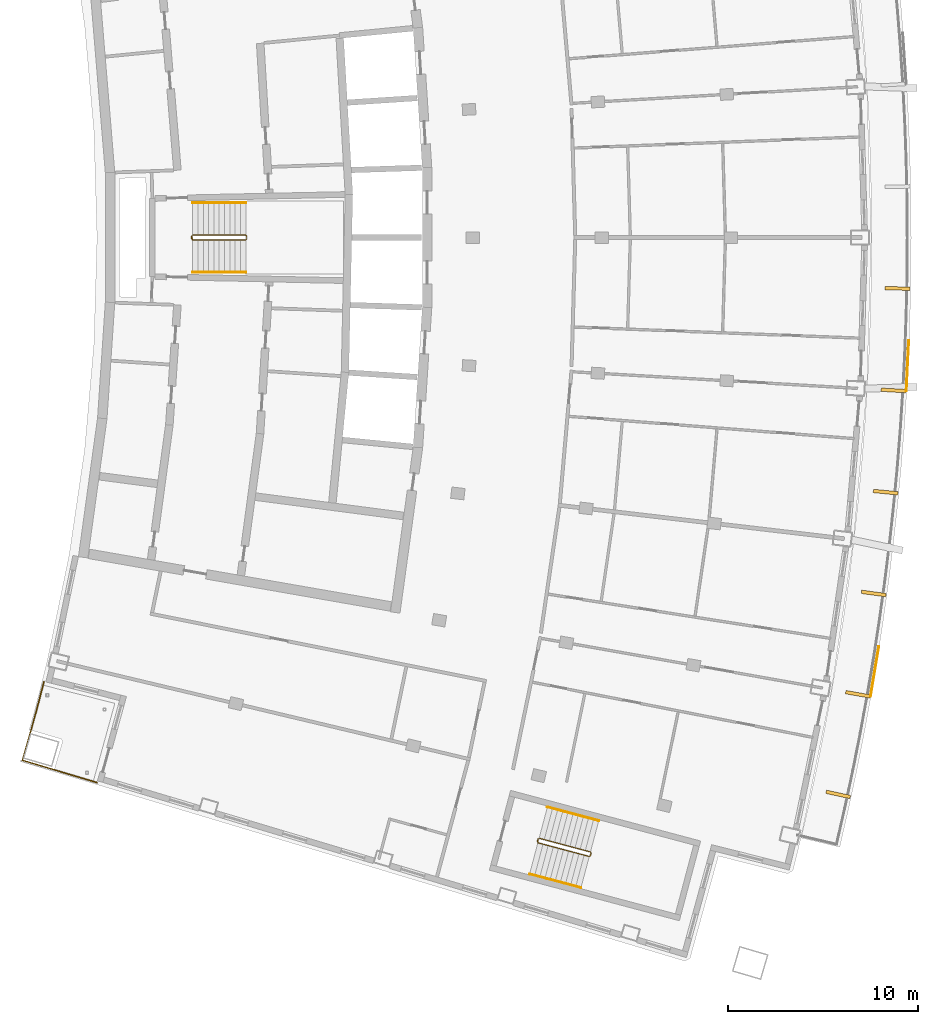
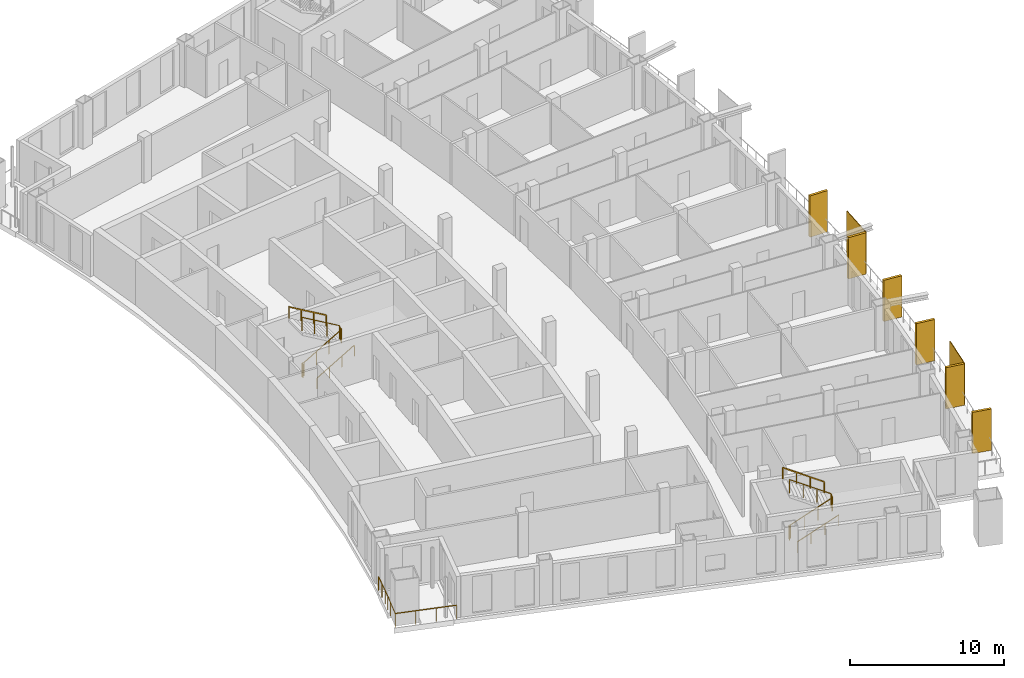
# One storey, part 15 of 17: 8 shading devices, 7 railings.
"""IFC4 building model written with IfcOpenShell, lengths in metres."""

from ifc_helpers import new_model, si_unit, direction, frame, origin, origin_with_axes, origin_2d, place, context, subcontext, project, spatial, rectangle, extrude, material, layer, layer_set, type_object, element, save


model = new_model("IFC4")

# Units and contexts
model_context = context("Model", 3, precision=1e-05, world=origin(), true_north=direction((0.0, 1.0)))
body_context = subcontext(model_context, "Body", "Model", "MODEL_VIEW")
ifc_project = project(units=[si_unit("LENGTHUNIT", "METRE"), si_unit("AREAUNIT", "SQUARE_METRE"), si_unit("VOLUMEUNIT", "CUBIC_METRE"), si_unit("PLANEANGLEUNIT", "RADIAN"), si_unit("MASSUNIT", "GRAM", prefix="KILO")], contexts=[model_context])

# Site, building, storey
site_placement = place(None, origin())
site = spatial("IfcSite", under=ifc_project, at=site_placement, CompositionType="ELEMENT")
building_placement = place(site_placement, origin())
building = spatial("IfcBuilding", under=site, at=building_placement, Name="Alderwake Tower", CompositionType="ELEMENT")
storey_placement = place(building_placement, frame((0.0, 0.0, 270.800048828125)))
storey = spatial("IfcBuildingStorey", under=building, at=storey_placement, Name="L67", CompositionType="ELEMENT", Elevation=270.800048828125)

# Railing
ifc_material_1 = material(Name="Stainless steel 316 rail and posts", Category="steel")
railing_type_1 = type_object("IfcRailingType", Name="Balcony guard 1100", PredefinedType="GUARDRAIL", material=ifc_material_1)
railing_1_placement = place(storey_placement, frame((13.210693359375, 37.612548828125, 0.0)))
element("IfcRailing", 1, at=railing_1_placement, inside=storey, type_object=railing_type_1, Name="Guard terrace RS", PredefinedType="GUARDRAIL", context=body_context, shape_type="SweptSolid", body=[
    extrude(rectangle(XDim=0.048095703125, YDim=0.048095703125, at=origin_2d()), frame((0.0, 0.0, 1.076171875), z_axis=(-0.251385381433, -0.967887075026, 0.0), x_axis=(0.967887075026, -0.251385381433, 0.0)), (0.0, 0.0, 1.0), 1.6015625),
    extrude(rectangle(XDim=0.048095703125, YDim=0.048095703125, at=origin_2d()), frame((-0.402587890625, -1.550048828125, 1.076171875), z_axis=(-0.266520638672, -0.963829211615, 0.0), x_axis=(0.963829211615, -0.266520638672, 0.0)), (0.0, 0.0, 1.0), 1.401611328125),
    extrude(rectangle(XDim=0.048095703125, YDim=0.048095703125, at=origin_2d()), frame((-0.776123046875, -2.90087890625, 1.076171875), z_axis=(-0.280093650878, -0.959972680204, 0.0), x_axis=(0.959972680204, -0.280093650878, 0.0)), (0.0, 0.0, 1.0), 1.30126953125),
    extrude(rectangle(XDim=0.048095703125, YDim=0.048095703125, at=origin_2d()), frame((-1.140625, -4.150146484375, 1.076171875), z_axis=(0.958066871889, -0.286544706789, 0.0), x_axis=(0.286544706789, 0.958066871889, 0.0)), (0.0, 0.0, 1.0), 4.099853515625),
    extrude(rectangle(XDim=0.0419921875, YDim=0.0419921875, at=origin_2d()), frame((0.0, 0.0, 0.0), z_axis=(0.0, 0.0, 1.0), x_axis=(-0.251385381433, -0.967887075026, 0.0)), (0.0, 0.0, 1.0), 1.052001953125),
    extrude(rectangle(XDim=0.0419921875, YDim=0.0419921875, at=origin_2d()), frame((-0.201171875, -0.77490234375, 0.0), z_axis=(0.0, 0.0, 1.0), x_axis=(-0.251385381433, -0.967887075026, 0.0)), (0.0, 0.0, 1.0), 1.052001953125),
    extrude(rectangle(XDim=0.0419921875, YDim=0.0419921875, at=origin_2d()), frame((-0.402587890625, -1.550048828125, 0.0), z_axis=(0.0, 0.0, 1.0), x_axis=(-0.266520638672, -0.963829211615, 0.0)), (0.0, 0.0, 1.0), 1.052001953125),
    extrude(rectangle(XDim=0.0419921875, YDim=0.0419921875, at=origin_2d()), frame((-0.58935546875, -2.2255859375, 0.0), z_axis=(0.0, 0.0, 1.0), x_axis=(-0.266520638672, -0.963829211615, 0.0)), (0.0, 0.0, 1.0), 1.052001953125),
    extrude(rectangle(XDim=0.0419921875, YDim=0.0419921875, at=origin_2d()), frame((-0.776123046875, -2.90087890625, 0.0), z_axis=(0.0, 0.0, 1.0), x_axis=(-0.280093650878, -0.959972680204, 0.0)), (0.0, 0.0, 1.0), 1.052001953125),
    extrude(rectangle(XDim=0.0419921875, YDim=0.0419921875, at=origin_2d()), frame((-1.140625, -4.150146484375, 0.0), z_axis=(0.0, 0.0, 1.0), x_axis=(0.958066871889, -0.286544706789, 0.0)), (0.0, 0.0, 1.0), 1.052001953125),
    extrude(rectangle(XDim=0.0419921875, YDim=0.0419921875, at=origin_2d()), frame((0.168701171875, -4.541748046875, 0.0), z_axis=(0.0, 0.0, 1.0), x_axis=(0.958066871889, -0.286544706789, 0.0)), (0.0, 0.0, 1.0), 1.052001953125),
    extrude(rectangle(XDim=0.0419921875, YDim=0.0419921875, at=origin_2d()), frame((1.47802734375, -4.933349609375, 0.0), z_axis=(0.0, 0.0, 1.0), x_axis=(0.958066871889, -0.286544706789, 0.0)), (0.0, 0.0, 1.0), 1.052001953125),
    extrude(rectangle(XDim=0.0419921875, YDim=0.0419921875, at=origin_2d()), frame((2.787353515625, -5.324951171875, 0.0), z_axis=(0.0, 0.0, 1.0), x_axis=(0.958066871889, -0.286544706789, 0.0)), (0.0, 0.0, 1.0), 1.052001953125),
])

# Shading devices
ifc_material_2 = material(Name="Bronze anodised aluminium", Category="aluminium")
ifc_layer_1 = layer(ifc_material_2, 0.179931640625)
ifc_layer_set_1 = layer_set([ifc_layer_1], Name="Facade fin 1300")
shading_device_type_1 = type_object("IfcShadingDeviceType", Name="Facade fin 1300", PredefinedType="USERDEFINED", material=ifc_layer_set_1)
for number, where, z_axis, x_axis, name in (
    (2, (55.050537109375, 31.663818359375, 0.0), (0.0, 0.0, 1.0), (0.977210363881, -0.212273184185, 0.0), "Fin"),
    (3, (56.089111328125, 36.938232421875, 0.0), (0.0, 0.0, 1.0), (0.984726421654, -0.174108800747, 0.0), "Fin"),
    (4, (56.922119140625, 42.2490234375, 0.0), (0.0, 0.0, 1.0), (0.990752577235, -0.135680988728, 0.0), "Fin"),
    (5, (57.547607421875, 47.588134765625, 0.0), (0.0, 0.0, 1.0), (0.995279882363, -0.097046152751, 0.0), "Fin"),
    (6, (57.965087890625, 52.947509765625, 0.0), (0.0, 0.0, 1.0), (0.998301080988, -0.058266214038, 0.0), "Fin"),
    (7, (58.174072265625, 58.319091796875, 0.0), (0.0, 0.0, 1.0), (0.999811838809, -0.019398117887, 0.0), "Fin"),
):
    element("IfcShadingDevice", number, at=place(storey_placement, frame(where, z_axis=z_axis, x_axis=x_axis)), inside=storey, type_object=shading_device_type_1, Name=name, ObjectType="FIN", PredefinedType="USERDEFINED", context=body_context, shape_type="SweptSolid", body=[
        extrude(rectangle(XDim=1.300048828125, YDim=0.179931640625, at=origin_2d()), origin(), (0.0, 0.0, 1.0), 3.280029296875),
    ])
ifc_material_3 = material(Name="Perforated bronze anodised aluminium", Category="aluminium")
ifc_layer_2 = layer(ifc_material_3, 0.050048828125)
ifc_layer_set_2 = layer_set([ifc_layer_2], Name="Perforated screen panel")
shading_device_type_2 = type_object("IfcShadingDeviceType", Name="Perforated screen panel", PredefinedType="USERDEFINED", material=ifc_layer_set_2)
for number, where, z_axis, x_axis, name in (
    (8, (56.9755859375, 38.1494140625, 0.0), (0.0, 0.0, 1.0), (0.986369013299, -0.164548380739, 0.0), "Screen panel"),
    (9, (58.70458984375, 54.253662109375, 0.0), (0.0, 0.0, 1.0), (0.998819231138, -0.048581308217, 0.0), "Screen panel"),
):
    element("IfcShadingDevice", number, at=place(storey_placement, frame(where, z_axis=z_axis, x_axis=x_axis)), inside=storey, type_object=shading_device_type_2, Name=name, ObjectType="SCREEN", PredefinedType="USERDEFINED", context=body_context, shape_type="SweptSolid", body=[
        extrude(rectangle(XDim=0.050048828125, YDim=2.694091796875, at=origin_2d()), origin(), (0.0, 0.0, 1.0), 3.280029296875),
    ])

# Railings
ifc_material_4 = material(Name="Stainless steel guard", Category="steel")
railing_type_2 = type_object("IfcRailingType", Name="Stair guard 1100", PredefinedType="GUARDRAIL", material=ifc_material_4)
railing_2_placement = place(storey_placement, frame((20.989990234375, 60.925048828125, 0.0)))
element("IfcRailing", 10, at=railing_2_placement, inside=storey, type_object=railing_type_2, Name="L67 ST-B stair guard 1", PredefinedType="GUARDRAIL", context=body_context, shape_type="SweptSolid", body=[
    extrude(rectangle(XDim=0.048095703125, YDim=0.048095703125, at=origin_2d()), frame((0.0, 0.0, 1.076171875), z_axis=(0.0, 1.0, 0.0), x_axis=(-1.0, 0.0, 0.0)), (0.0, 0.0, 1.0), 0.14990234375),
    extrude(rectangle(XDim=0.048095703125, YDim=0.048095703125, at=origin_2d()), frame((0.0, 0.14990234375, 1.076171875), z_axis=(0.190199549216, -0.759870394187, 0.621627795), x_axis=(0.970072785993, 0.242814311512, 0.0)), (0.0, 0.0, 1.0), 0.26318359375),
    extrude(rectangle(XDim=0.048095703125, YDim=0.048095703125, at=origin_2d()), frame((0.050048828125, -0.050048828125, 1.23974609375), z_axis=(0.863360870873, 0.0, 0.504586966384), x_axis=(0.0, 1.0, 0.0)), (0.0, 0.0, 1.0), 3.2431640625),
    extrude(rectangle(XDim=0.048095703125, YDim=0.048095703125, at=origin_2d()), frame((2.85009765625, -0.050048828125, 2.8759765625), z_axis=(0.705375805398, 0.708833529934, 0.0), x_axis=(-0.708833529934, 0.705375805398, 0.0)), (0.0, 0.0, 1.0), 0.070556640625),
    extrude(rectangle(XDim=0.048095703125, YDim=0.048095703125, at=origin_2d()), frame((2.89990234375, 0.0, 2.8759765625), z_axis=(0.0, 1.0, 0.0), x_axis=(-1.0, 0.0, 0.0)), (0.0, 0.0, 1.0), 0.14990234375),
    extrude(rectangle(XDim=0.048095703125, YDim=0.048095703125, at=origin_2d()), frame((2.89990234375, 0.14990234375, 2.8759765625), z_axis=(-0.279546231943, 0.280916556609, 0.91811752648), x_axis=(-0.708833529934, -0.705375805398, 0.0)), (0.0, 0.0, 1.0), 0.17822265625),
    extrude(rectangle(XDim=0.048095703125, YDim=0.048095703125, at=origin_2d()), frame((2.85009765625, 0.199951171875, 3.03955078125), z_axis=(-0.863393664356, 0.0, 0.504530851732), x_axis=(0.0, -1.0, 0.0)), (0.0, 0.0, 1.0), 3.2431640625),
    extrude(rectangle(XDim=0.0419921875, YDim=0.0419921875, at=origin_2d()), frame((0.0, 0.0, 0.0), z_axis=(0.0, 0.0, 1.0), x_axis=(0.0, 1.0, 0.0)), (0.0, 0.0, 1.0), 1.052001953125),
    extrude(rectangle(XDim=0.0419921875, YDim=0.0419921875, at=origin_2d()), frame((0.0, 0.14990234375, 0.0), z_axis=(0.0, 0.0, 1.0), x_axis=(0.242814311512, -0.970072785993, 0.0)), (0.0, 0.0, 1.0), 1.052001953125),
    extrude(rectangle(XDim=0.0419921875, YDim=0.0419921875, at=origin_2d()), frame((0.050048828125, -0.050048828125, 0.16357421875), z_axis=(0.0, 0.0, 1.0), x_axis=(1.0, 0.0, 0.0)), (0.0, 0.0, 1.0), 1.052001953125),
    extrude(rectangle(XDim=0.0419921875, YDim=0.0419921875, at=origin_2d()), frame((0.9833984375, -0.050048828125, 0.708984375), z_axis=(0.0, 0.0, 1.0), x_axis=(1.0, 0.0, 0.0)), (0.0, 0.0, 1.0), 1.052001953125),
    extrude(rectangle(XDim=0.0419921875, YDim=0.0419921875, at=origin_2d()), frame((1.916748046875, -0.050048828125, 1.254638671875), z_axis=(0.0, 0.0, 1.0), x_axis=(1.0, 0.0, 0.0)), (0.0, 0.0, 1.0), 1.052001953125),
    extrude(rectangle(XDim=0.0419921875, YDim=0.0419921875, at=origin_2d()), frame((2.85009765625, -0.050048828125, 1.800048828125), z_axis=(0.0, 0.0, 1.0), x_axis=(0.705375805398, 0.708833529934, 0.0)), (0.0, 0.0, 1.0), 1.052001953125),
    extrude(rectangle(XDim=0.0419921875, YDim=0.0419921875, at=origin_2d()), frame((2.89990234375, 0.0, 1.800048828125), z_axis=(0.0, 0.0, 1.0), x_axis=(0.0, 1.0, 0.0)), (0.0, 0.0, 1.0), 1.052001953125),
    extrude(rectangle(XDim=0.0419921875, YDim=0.0419921875, at=origin_2d()), frame((2.89990234375, 0.14990234375, 1.800048828125), z_axis=(0.0, 0.0, 1.0), x_axis=(-0.705375805398, 0.708833529934, 0.0)), (0.0, 0.0, 1.0), 1.052001953125),
    extrude(rectangle(XDim=0.0419921875, YDim=0.0419921875, at=origin_2d()), frame((2.85009765625, 0.199951171875, 1.963623046875), z_axis=(0.0, 0.0, 1.0), x_axis=(-1.0, 0.0, 0.0)), (0.0, 0.0, 1.0), 1.052001953125),
    extrude(rectangle(XDim=0.0419921875, YDim=0.0419921875, at=origin_2d()), frame((1.916748046875, 0.199951171875, 2.509033203125), z_axis=(0.0, 0.0, 1.0), x_axis=(-1.0, 0.0, 0.0)), (0.0, 0.0, 1.0), 1.052001953125),
    extrude(rectangle(XDim=0.0419921875, YDim=0.0419921875, at=origin_2d()), frame((0.9833984375, 0.199951171875, 3.054443359375), z_axis=(0.0, 0.0, 1.0), x_axis=(-1.0, 0.0, 0.0)), (0.0, 0.0, 1.0), 1.052001953125),
    extrude(rectangle(XDim=0.0419921875, YDim=0.0419921875, at=origin_2d()), frame((0.050048828125, 0.199951171875, 3.599853515625), z_axis=(0.0, 0.0, 1.0), x_axis=(-1.0, 0.0, 0.0)), (0.0, 0.0, 1.0), 1.052001953125),
])
railing_3_placement = place(storey_placement, frame((39.1943359375, 29.17431640625, 0.0)))
element("IfcRailing", 11, at=railing_3_placement, inside=storey, type_object=railing_type_2, Name="L67 ST-C stair guard 1", PredefinedType="GUARDRAIL", context=body_context, shape_type="SweptSolid", body=[
    extrude(rectangle(XDim=0.048095703125, YDim=0.048095703125, at=origin_2d()), frame((0.0, 0.0, 1.076171875), z_axis=(0.257459803502, 0.966289009345, 0.0), x_axis=(-0.966289009345, 0.257459803502, 0.0)), (0.0, 0.0, 1.0), 0.14990234375),
    extrude(rectangle(XDim=0.048095703125, YDim=0.048095703125, at=origin_2d()), frame((0.03857421875, 0.144775390625, 1.076171875), z_axis=(-0.012062893862, -0.783160186125, 0.621702991355), x_axis=(0.999881397308, -0.015401016783, 0.0)), (0.0, 0.0, 1.0), 0.26318359375),
    extrude(rectangle(XDim=0.048095703125, YDim=0.048095703125, at=origin_2d()), frame((0.035400390625, -0.061279296875, 1.23974609375), z_axis=(0.834281824786, -0.222214197128, 0.504573768072), x_axis=(0.257380452725, 0.966310148221, 0.0)), (0.0, 0.0, 1.0), 3.2431640625),
    extrude(rectangle(XDim=0.048095703125, YDim=0.048095703125, at=origin_2d()), frame((2.7412109375, -0.781982421875, 2.8759765625), z_axis=(0.865031189262, 0.501718089772, 0.0), x_axis=(-0.501718089772, 0.865031189262, 0.0)), (0.0, 0.0, 1.0), 0.070556640625),
    extrude(rectangle(XDim=0.048095703125, YDim=0.048095703125, at=origin_2d()), frame((2.80224609375, -0.74658203125, 2.8759765625), z_axis=(0.257055032184, 0.966396766566, 0.0), x_axis=(-0.966396766566, 0.257055032184, 0.0)), (0.0, 0.0, 1.0), 0.150146484375),
    extrude(rectangle(XDim=0.048095703125, YDim=0.048095703125, at=origin_2d()), frame((2.8408203125, -0.6015625, 2.8759765625), z_axis=(-0.198625291617, 0.343827228937, 0.91778583023), x_axis=(-0.865898279276, -0.500220121494, 0.0)), (0.0, 0.0, 1.0), 0.17822265625),
    extrude(rectangle(XDim=0.048095703125, YDim=0.048095703125, at=origin_2d()), frame((2.805419921875, -0.540283203125, 3.03955078125), z_axis=(-0.834290631165, 0.222236594766, 0.504549342183), x_axis=(-0.257402139082, -0.966304371715, 0.0)), (0.0, 0.0, 1.0), 3.242919921875),
    extrude(rectangle(XDim=0.0419921875, YDim=0.0419921875, at=origin_2d()), frame((0.0, 0.0, 0.0), z_axis=(0.0, 0.0, 1.0), x_axis=(0.257459803502, 0.966289009345, 0.0)), (0.0, 0.0, 1.0), 1.052001953125),
    extrude(rectangle(XDim=0.0419921875, YDim=0.0419921875, at=origin_2d()), frame((0.03857421875, 0.144775390625, 0.0), z_axis=(0.0, 0.0, 1.0), x_axis=(-0.015401016783, -0.999881397308, 0.0)), (0.0, 0.0, 1.0), 1.052001953125),
    extrude(rectangle(XDim=0.0419921875, YDim=0.0419921875, at=origin_2d()), frame((0.035400390625, -0.061279296875, 0.16357421875), z_axis=(0.0, 0.0, 1.0), x_axis=(0.966310148221, -0.257380452725, 0.0)), (0.0, 0.0, 1.0), 1.052001953125),
    extrude(rectangle(XDim=0.0419921875, YDim=0.0419921875, at=origin_2d()), frame((0.937255859375, -0.301513671875, 0.708984375), z_axis=(0.0, 0.0, 1.0), x_axis=(0.966310148221, -0.257380452725, 0.0)), (0.0, 0.0, 1.0), 1.052001953125),
    extrude(rectangle(XDim=0.0419921875, YDim=0.0419921875, at=origin_2d()), frame((1.83935546875, -0.541748046875, 1.254638671875), z_axis=(0.0, 0.0, 1.0), x_axis=(0.966310148221, -0.257380452725, 0.0)), (0.0, 0.0, 1.0), 1.052001953125),
    extrude(rectangle(XDim=0.0419921875, YDim=0.0419921875, at=origin_2d()), frame((2.7412109375, -0.781982421875, 1.800048828125), z_axis=(0.0, 0.0, 1.0), x_axis=(0.865031189262, 0.501718089772, 0.0)), (0.0, 0.0, 1.0), 1.052001953125),
    extrude(rectangle(XDim=0.0419921875, YDim=0.0419921875, at=origin_2d()), frame((2.80224609375, -0.74658203125, 1.800048828125), z_axis=(0.0, 0.0, 1.0), x_axis=(0.257055032184, 0.966396766566, 0.0)), (0.0, 0.0, 1.0), 1.052001953125),
    extrude(rectangle(XDim=0.0419921875, YDim=0.0419921875, at=origin_2d()), frame((2.8408203125, -0.6015625, 1.800048828125), z_axis=(0.0, 0.0, 1.0), x_axis=(-0.500220121494, 0.865898279276, 0.0)), (0.0, 0.0, 1.0), 1.052001953125),
    extrude(rectangle(XDim=0.0419921875, YDim=0.0419921875, at=origin_2d()), frame((2.805419921875, -0.540283203125, 1.963623046875), z_axis=(0.0, 0.0, 1.0), x_axis=(-0.966304371715, 0.257402139082, 0.0)), (0.0, 0.0, 1.0), 1.052001953125),
    extrude(rectangle(XDim=0.0419921875, YDim=0.0419921875, at=origin_2d()), frame((1.903564453125, -0.300048828125, 2.509033203125), z_axis=(0.0, 0.0, 1.0), x_axis=(-0.966304371715, 0.257402139082, 0.0)), (0.0, 0.0, 1.0), 1.052001953125),
    extrude(rectangle(XDim=0.0419921875, YDim=0.0419921875, at=origin_2d()), frame((1.001708984375, -0.059814453125, 3.054443359375), z_axis=(0.0, 0.0, 1.0), x_axis=(-0.966304371715, 0.257402139082, 0.0)), (0.0, 0.0, 1.0), 1.052001953125),
    extrude(rectangle(XDim=0.0419921875, YDim=0.0419921875, at=origin_2d()), frame((0.099853515625, 0.180419921875, 3.599853515625), z_axis=(0.0, 0.0, 1.0), x_axis=(-0.966304371715, 0.257402139082, 0.0)), (0.0, 0.0, 1.0), 1.052001953125),
])
ifc_material_5 = material(Name="Stainless steel handrail", Category="steel")
railing_type_3 = type_object("IfcRailingType", Name="Stair handrail 900", PredefinedType="HANDRAIL", material=ifc_material_5)
railing_4_placement = place(storey_placement, frame((21.0400390625, 59.175048828125, 0.16357421875)))
element("IfcRailing", 12, at=railing_4_placement, inside=storey, type_object=railing_type_3, Name="L67 ST-B stair handrail 1", PredefinedType="HANDRAIL", context=body_context, shape_type="SweptSolid", body=[
    extrude(rectangle(XDim=0.048095703125, YDim=0.048095703125, at=origin_2d()), frame((0.0, 0.0, 0.8759765625), z_axis=(0.863360870873, 0.0, 0.504586966384), x_axis=(0.0, 1.0, 0.0)), (0.0, 0.0, 1.0), 3.2431640625),
    extrude(rectangle(XDim=0.0419921875, YDim=0.0419921875, at=origin_2d()), origin_with_axes(), (0.0, 0.0, 1.0), 0.851806640625),
    extrude(rectangle(XDim=0.0419921875, YDim=0.0419921875, at=origin_2d()), frame((0.933349609375, 0.0, 0.54541015625), z_axis=(0.0, 0.0, 1.0), x_axis=(1.0, 0.0, 0.0)), (0.0, 0.0, 1.0), 0.851806640625),
    extrude(rectangle(XDim=0.0419921875, YDim=0.0419921875, at=origin_2d()), frame((1.86669921875, 0.0, 1.091064453125), z_axis=(0.0, 0.0, 1.0), x_axis=(1.0, 0.0, 0.0)), (0.0, 0.0, 1.0), 0.851806640625),
    extrude(rectangle(XDim=0.0419921875, YDim=0.0419921875, at=origin_2d()), frame((2.800048828125, 0.0, 1.636474609375), z_axis=(0.0, 0.0, 1.0), x_axis=(1.0, 0.0, 0.0)), (0.0, 0.0, 1.0), 0.851806640625),
])
railing_5_placement = place(storey_placement, frame((23.840087890625, 62.824951171875, 1.963623046875)))
element("IfcRailing", 13, at=railing_5_placement, inside=storey, type_object=railing_type_3, Name="L67 ST-B stair handrail 2", PredefinedType="HANDRAIL", context=body_context, shape_type="SweptSolid", body=[
    extrude(rectangle(XDim=0.048095703125, YDim=0.048095703125, at=origin_2d()), frame((0.0, 0.0, 0.8759765625), z_axis=(-0.863393664356, 0.0, 0.504530851732), x_axis=(0.0, -1.0, 0.0)), (0.0, 0.0, 1.0), 3.2431640625),
    extrude(rectangle(XDim=0.0419921875, YDim=0.0419921875, at=origin_2d()), frame((0.0, 0.0, 0.0), z_axis=(0.0, 0.0, 1.0), x_axis=(-1.0, 0.0, 0.0)), (0.0, 0.0, 1.0), 0.851806640625),
    extrude(rectangle(XDim=0.0419921875, YDim=0.0419921875, at=origin_2d()), frame((-0.933349609375, 0.0, 0.54541015625), z_axis=(0.0, 0.0, 1.0), x_axis=(-1.0, 0.0, 0.0)), (0.0, 0.0, 1.0), 0.851806640625),
    extrude(rectangle(XDim=0.0419921875, YDim=0.0419921875, at=origin_2d()), frame((-1.86669921875, 0.0, 1.0908203125), z_axis=(0.0, 0.0, 1.0), x_axis=(-1.0, 0.0, 0.0)), (0.0, 0.0, 1.0), 0.851806640625),
    extrude(rectangle(XDim=0.0419921875, YDim=0.0419921875, at=origin_2d()), frame((-2.800048828125, 0.0, 1.63623046875), z_axis=(0.0, 0.0, 1.0), x_axis=(-1.0, 0.0, 0.0)), (0.0, 0.0, 1.0), 0.851806640625),
])
railing_6_placement = place(storey_placement, frame((38.792236328125, 27.47021484375, 0.16357421875)))
element("IfcRailing", 14, at=railing_6_placement, inside=storey, type_object=railing_type_3, Name="L67 ST-C stair handrail 1", PredefinedType="HANDRAIL", context=body_context, shape_type="SweptSolid", body=[
    extrude(rectangle(XDim=0.048095703125, YDim=0.048095703125, at=origin_2d()), frame((0.0, 0.0, 0.8759765625), z_axis=(0.834272895437, -0.222156588561, 0.504613898043), x_axis=(0.25732071773, 0.966326056891, 0.0)), (0.0, 0.0, 1.0), 3.242919921875),
    extrude(rectangle(XDim=0.0419921875, YDim=0.0419921875, at=origin_2d()), frame((0.0, 0.0, 0.0), z_axis=(0.0, 0.0, 1.0), x_axis=(0.966326056891, -0.25732071773, 0.0)), (0.0, 0.0, 1.0), 0.851806640625),
    extrude(rectangle(XDim=0.0419921875, YDim=0.0419921875, at=origin_2d()), frame((0.90185546875, -0.240234375, 0.54541015625), z_axis=(0.0, 0.0, 1.0), x_axis=(0.966326056891, -0.25732071773, 0.0)), (0.0, 0.0, 1.0), 0.851806640625),
    extrude(rectangle(XDim=0.0419921875, YDim=0.0419921875, at=origin_2d()), frame((1.8037109375, -0.480224609375, 1.091064453125), z_axis=(0.0, 0.0, 1.0), x_axis=(0.966326056891, -0.25732071773, 0.0)), (0.0, 0.0, 1.0), 0.851806640625),
    extrude(rectangle(XDim=0.0419921875, YDim=0.0419921875, at=origin_2d()), frame((2.70556640625, -0.720458984375, 1.636474609375), z_axis=(0.0, 0.0, 1.0), x_axis=(0.966326056891, -0.25732071773, 0.0)), (0.0, 0.0, 1.0), 0.851806640625),
])
railing_7_placement = place(storey_placement, frame((42.437255859375, 30.276611328125, 1.963623046875)))
element("IfcRailing", 15, at=railing_7_placement, inside=storey, type_object=railing_type_3, Name="L67 ST-C stair handrail 2", PredefinedType="HANDRAIL", context=body_context, shape_type="SweptSolid", body=[
    extrude(rectangle(XDim=0.048095703125, YDim=0.048095703125, at=origin_2d()), frame((0.0, 0.0, 0.8759765625), z_axis=(-0.834290631165, 0.222236594766, 0.504549342183), x_axis=(-0.257402139082, -0.966304371715, 0.0)), (0.0, 0.0, 1.0), 3.242919921875),
    extrude(rectangle(XDim=0.0419921875, YDim=0.0419921875, at=origin_2d()), frame((0.0, 0.0, 0.0), z_axis=(0.0, 0.0, 1.0), x_axis=(-0.966304371715, 0.257402139082, 0.0)), (0.0, 0.0, 1.0), 0.851806640625),
    extrude(rectangle(XDim=0.0419921875, YDim=0.0419921875, at=origin_2d()), frame((-0.90185546875, 0.240234375, 0.54541015625), z_axis=(0.0, 0.0, 1.0), x_axis=(-0.966304371715, 0.257402139082, 0.0)), (0.0, 0.0, 1.0), 0.851806640625),
    extrude(rectangle(XDim=0.0419921875, YDim=0.0419921875, at=origin_2d()), frame((-1.8037109375, 0.48046875, 1.0908203125), z_axis=(0.0, 0.0, 1.0), x_axis=(-0.966304371715, 0.257402139082, 0.0)), (0.0, 0.0, 1.0), 0.851806640625),
    extrude(rectangle(XDim=0.0419921875, YDim=0.0419921875, at=origin_2d()), frame((-2.70556640625, 0.720703125, 1.63623046875), z_axis=(0.0, 0.0, 1.0), x_axis=(-0.966304371715, 0.257402139082, 0.0)), (0.0, 0.0, 1.0), 0.851806640625),
])

save(model, "model.ifc")
